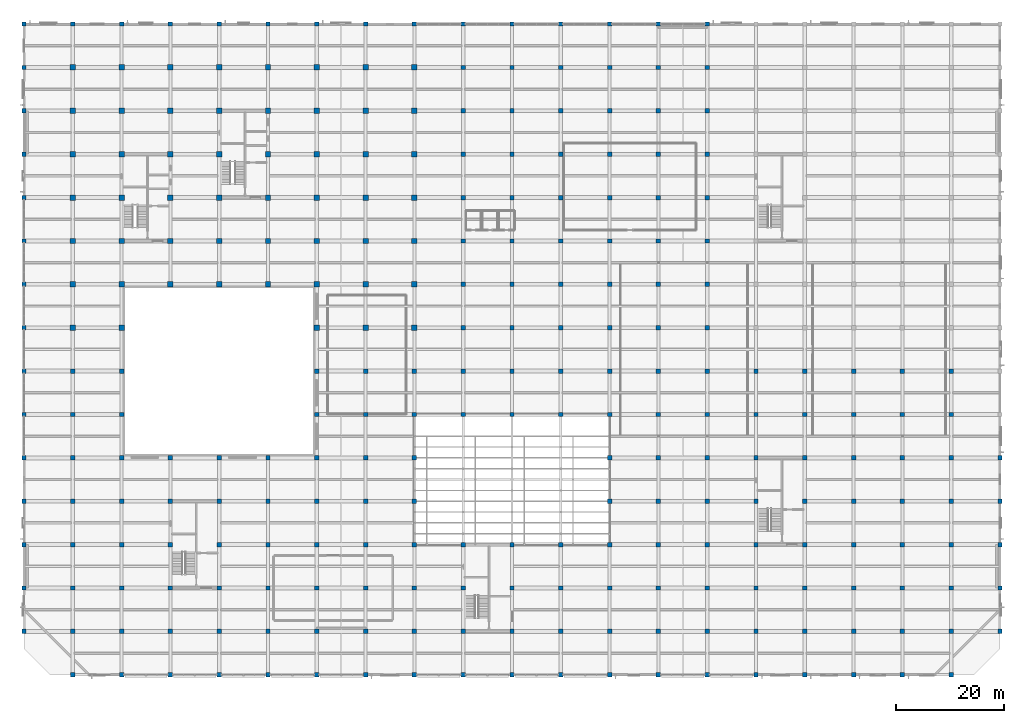
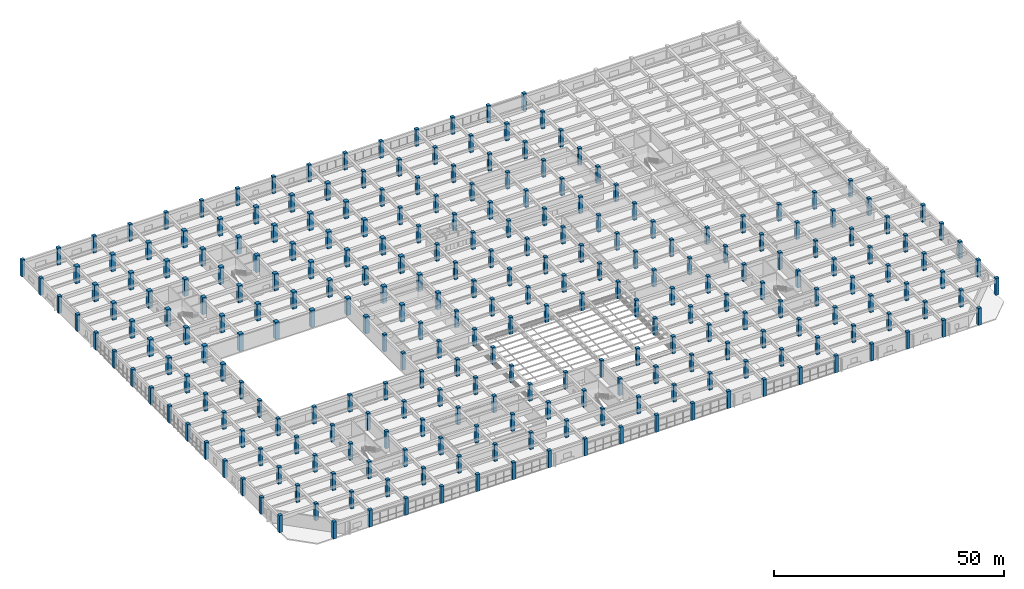
# One storey, part 1 of 50: 269 columns.
"""IFC4 building model written with IfcOpenShell, lengths in metres."""

from ifc_helpers import new_model, si_unit, direction, frame, origin, origin_2d, place, context, subcontext, project, spatial, rectangle, extrude, material, material_profile, profile_set, type_object, element, save


model = new_model("IFC4")

# Units and contexts
model_context = context("Model", 3, precision=1e-05, world=origin(), true_north=direction((0.0, 1.0)))
body_context = subcontext(model_context, "Body", "Model", "MODEL_VIEW")
ifc_project = project(units=[si_unit("LENGTHUNIT", "METRE"), si_unit("AREAUNIT", "SQUARE_METRE"), si_unit("VOLUMEUNIT", "CUBIC_METRE"), si_unit("PLANEANGLEUNIT", "RADIAN"), si_unit("MASSUNIT", "GRAM", prefix="KILO")], contexts=[model_context])

# Site, building, storey
site_placement = place(None, origin())
site = spatial("IfcSite", under=ifc_project, at=site_placement, CompositionType="ELEMENT")
building_placement = place(site_placement, origin())
building = spatial("IfcBuilding", under=site, at=building_placement, Name="Zaverband Oceanarium and Marine Research Institute", CompositionType="ELEMENT")
storey_placement = place(building_placement, frame((0.0, 0.0, 9.0)))
storey = spatial("IfcBuildingStorey", under=building, at=storey_placement, Name="L02", CompositionType="ELEMENT", Elevation=9.0)

# Columns
ifc_material = material(Name="Concrete C50/60", Category="concrete")
ifc_material_profile_1 = material_profile(ifc_material, rectangle(XDim=1.0, YDim=1.0, at=origin_2d()), Name="RC1000x1000")
ifc_profile_set_1 = profile_set([ifc_material_profile_1], Name="Concrete C50/60")
column_type_1 = type_object("IfcColumnType", Name="COL-C1000", PredefinedType="COLUMN", material=ifc_profile_set_1)
for number, where, z_axis, x_axis, name in (
    (1, (9.0, 64.0, 0.0), (0.0, 0.0, 1.0), (1.0, 0.0, 0.0), "Reinforced concrete column RC1000x1000 COL-C1000"),
    (2, (9.0, 72.0, 0.0), (0.0, 0.0, 1.0), (1.0, 0.0, 0.0), "Reinforced concrete column RC1000x1000 COL-C1000"),
    (3, (9.0, 80.0, 0.0), (0.0, 0.0, 1.0), (1.0, 0.0, 0.0), "Reinforced concrete column RC1000x1000 COL-C1000"),
    (4, (9.0, 88.0, 0.0), (0.0, 0.0, 1.0), (1.0, 0.0, 0.0), "Reinforced concrete column RC1000x1000 COL-C1000"),
    (5, (9.0, 96.0, 0.0), (0.0, 0.0, 1.0), (1.0, 0.0, 0.0), "Reinforced concrete column RC1000x1000 COL-C1000"),
    (6, (9.0, 104.0, 0.0), (0.0, 0.0, 1.0), (1.0, 0.0, 0.0), "Reinforced concrete column RC1000x1000 COL-C1000"),
    (7, (9.0, 112.0, 0.0), (0.0, 0.0, 1.0), (1.0, 0.0, 0.0), "Reinforced concrete column RC1000x1000 COL-C1000"),
    (8, (18.0, 64.0, 0.0), (0.0, 0.0, 1.0), (1.0, 0.0, 0.0), "Reinforced concrete column RC1000x1000 COL-C1000"),
    (9, (18.0, 72.0, 0.0), (0.0, 0.0, 1.0), (1.0, 0.0, 0.0), "Reinforced concrete column RC1000x1000 COL-C1000"),
    (10, (18.0, 80.0, 0.0), (0.0, 0.0, 1.0), (1.0, 0.0, 0.0), "Reinforced concrete column RC1000x1000 COL-C1000"),
    (11, (18.0, 88.0, 0.0), (0.0, 0.0, 1.0), (1.0, 0.0, 0.0), "Reinforced concrete column RC1000x1000 COL-C1000"),
    (12, (18.0, 96.0, 0.0), (0.0, 0.0, 1.0), (1.0, 0.0, 0.0), "Reinforced concrete column RC1000x1000 COL-C1000"),
    (13, (18.0, 104.0, 0.0), (0.0, 0.0, 1.0), (1.0, 0.0, 0.0), "Reinforced concrete column RC1000x1000 COL-C1000"),
    (14, (18.0, 112.0, 0.0), (0.0, 0.0, 1.0), (1.0, 0.0, 0.0), "Reinforced concrete column RC1000x1000 COL-C1000"),
    (15, (27.0, 72.0, 0.0), (0.0, 0.0, 1.0), (1.0, 0.0, 0.0), "Reinforced concrete column RC1000x1000 COL-C1000"),
    (16, (27.0, 80.0, 0.0), (0.0, 0.0, 1.0), (1.0, 0.0, 0.0), "Reinforced concrete column RC1000x1000 COL-C1000"),
    (17, (27.0, 88.0, 0.0), (0.0, 0.0, 1.0), (1.0, 0.0, 0.0), "Reinforced concrete column RC1000x1000 COL-C1000"),
    (18, (27.0, 96.0, 0.0), (0.0, 0.0, 1.0), (1.0, 0.0, 0.0), "Reinforced concrete column RC1000x1000 COL-C1000"),
    (19, (27.0, 104.0, 0.0), (0.0, 0.0, 1.0), (1.0, 0.0, 0.0), "Reinforced concrete column RC1000x1000 COL-C1000"),
    (20, (27.0, 112.0, 0.0), (0.0, 0.0, 1.0), (1.0, 0.0, 0.0), "Reinforced concrete column RC1000x1000 COL-C1000"),
    (21, (36.0, 72.0, 0.0), (0.0, 0.0, 1.0), (1.0, 0.0, 0.0), "Reinforced concrete column RC1000x1000 COL-C1000"),
    (22, (36.0, 80.0, 0.0), (0.0, 0.0, 1.0), (1.0, 0.0, 0.0), "Reinforced concrete column RC1000x1000 COL-C1000"),
    (23, (36.0, 88.0, 0.0), (0.0, 0.0, 1.0), (1.0, 0.0, 0.0), "Reinforced concrete column RC1000x1000 COL-C1000"),
    (24, (36.0, 96.0, 0.0), (0.0, 0.0, 1.0), (1.0, 0.0, 0.0), "Reinforced concrete column RC1000x1000 COL-C1000"),
    (25, (36.0, 104.0, 0.0), (0.0, 0.0, 1.0), (1.0, 0.0, 0.0), "Reinforced concrete column RC1000x1000 COL-C1000"),
    (26, (36.0, 112.0, 0.0), (0.0, 0.0, 1.0), (1.0, 0.0, 0.0), "Reinforced concrete column RC1000x1000 COL-C1000"),
    (27, (45.0, 72.0, 0.0), (0.0, 0.0, 1.0), (1.0, 0.0, 0.0), "Reinforced concrete column RC1000x1000 COL-C1000"),
    (28, (45.0, 80.0, 0.0), (0.0, 0.0, 1.0), (1.0, 0.0, 0.0), "Reinforced concrete column RC1000x1000 COL-C1000"),
    (29, (45.0, 88.0, 0.0), (0.0, 0.0, 1.0), (1.0, 0.0, 0.0), "Reinforced concrete column RC1000x1000 COL-C1000"),
    (30, (45.0, 96.0, 0.0), (0.0, 0.0, 1.0), (1.0, 0.0, 0.0), "Reinforced concrete column RC1000x1000 COL-C1000"),
    (31, (45.0, 104.0, 0.0), (0.0, 0.0, 1.0), (1.0, 0.0, 0.0), "Reinforced concrete column RC1000x1000 COL-C1000"),
    (32, (45.0, 112.0, 0.0), (0.0, 0.0, 1.0), (1.0, 0.0, 0.0), "Reinforced concrete column RC1000x1000 COL-C1000"),
    (33, (54.0, 64.0, 0.0), (0.0, 0.0, 1.0), (1.0, 0.0, 0.0), "Reinforced concrete column RC1000x1000 COL-C1000"),
    (34, (54.0, 72.0, 0.0), (0.0, 0.0, 1.0), (1.0, 0.0, 0.0), "Reinforced concrete column RC1000x1000 COL-C1000"),
    (35, (54.0, 80.0, 0.0), (0.0, 0.0, 1.0), (1.0, 0.0, 0.0), "Reinforced concrete column RC1000x1000 COL-C1000"),
    (36, (54.0, 88.0, 0.0), (0.0, 0.0, 1.0), (1.0, 0.0, 0.0), "Reinforced concrete column RC1000x1000 COL-C1000"),
    (37, (54.0, 96.0, 0.0), (0.0, 0.0, 1.0), (1.0, 0.0, 0.0), "Reinforced concrete column RC1000x1000 COL-C1000"),
    (38, (54.0, 104.0, 0.0), (0.0, 0.0, 1.0), (1.0, 0.0, 0.0), "Reinforced concrete column RC1000x1000 COL-C1000"),
    (39, (54.0, 112.0, 0.0), (0.0, 0.0, 1.0), (1.0, 0.0, 0.0), "Reinforced concrete column RC1000x1000 COL-C1000"),
    (40, (63.0, 64.0, 0.0), (0.0, 0.0, 1.0), (1.0, 0.0, 0.0), "Reinforced concrete column RC1000x1000 COL-C1000"),
    (41, (63.0, 72.0, 0.0), (0.0, 0.0, 1.0), (1.0, 0.0, 0.0), "Reinforced concrete column RC1000x1000 COL-C1000"),
    (42, (63.0, 80.0, 0.0), (0.0, 0.0, 1.0), (1.0, 0.0, 0.0), "Reinforced concrete column RC1000x1000 COL-C1000"),
    (43, (63.0, 88.0, 0.0), (0.0, 0.0, 1.0), (1.0, 0.0, 0.0), "Reinforced concrete column RC1000x1000 COL-C1000"),
    (44, (63.0, 96.0, 0.0), (0.0, 0.0, 1.0), (1.0, 0.0, 0.0), "Reinforced concrete column RC1000x1000 COL-C1000"),
    (45, (63.0, 104.0, 0.0), (0.0, 0.0, 1.0), (1.0, 0.0, 0.0), "Reinforced concrete column RC1000x1000 COL-C1000"),
    (46, (63.0, 112.0, 0.0), (0.0, 0.0, 1.0), (1.0, 0.0, 0.0), "Reinforced concrete column RC1000x1000 COL-C1000"),
    (47, (72.0, 64.0, 0.0), (0.0, 0.0, 1.0), (1.0, 0.0, 0.0), "Reinforced concrete column RC1000x1000 COL-C1000"),
    (48, (72.0, 72.0, 0.0), (0.0, 0.0, 1.0), (1.0, 0.0, 0.0), "Reinforced concrete column RC1000x1000 COL-C1000"),
    (49, (72.0, 80.0, 0.0), (0.0, 0.0, 1.0), (1.0, 0.0, 0.0), "Reinforced concrete column RC1000x1000 COL-C1000"),
    (50, (72.0, 88.0, 0.0), (0.0, 0.0, 1.0), (1.0, 0.0, 0.0), "Reinforced concrete column RC1000x1000 COL-C1000"),
    (51, (72.0, 96.0, 0.0), (0.0, 0.0, 1.0), (1.0, 0.0, 0.0), "Reinforced concrete column RC1000x1000 COL-C1000"),
    (52, (72.0, 104.0, 0.0), (0.0, 0.0, 1.0), (1.0, 0.0, 0.0), "Reinforced concrete column RC1000x1000 COL-C1000"),
    (53, (72.0, 112.0, 0.0), (0.0, 0.0, 1.0), (1.0, 0.0, 0.0), "Reinforced concrete column RC1000x1000 COL-C1000"),
):
    element("IfcColumn", number, at=place(storey_placement, frame(where, z_axis=z_axis, x_axis=x_axis)), inside=storey, type_object=column_type_1, Name=name, PredefinedType="COLUMN", context=body_context, shape_type="SweptSolid", body=[
        extrude(rectangle(XDim=1.0, YDim=1.0, at=origin_2d()), origin(), (0.0, 0.0, 1.0), 4.5),
    ])
ifc_material_profile_2 = material_profile(ifc_material, rectangle(XDim=0.800048828125, YDim=0.800048828125, at=origin_2d()), Name="RC800x800")
ifc_profile_set_2 = profile_set([ifc_material_profile_2], Name="Concrete C50/60")
column_type_2 = type_object("IfcColumnType", Name="COL-C800", PredefinedType="COLUMN", material=ifc_profile_set_2)
for number, where, z_axis, x_axis, name in (
    (54, (0.0, 8.0, 0.0), (0.0, 0.0, 1.0), (1.0, 0.0, 0.0), "Reinforced concrete column RC800x800 COL-C800"),
    (55, (0.0, 16.0, 0.0), (0.0, 0.0, 1.0), (1.0, 0.0, 0.0), "Reinforced concrete column RC800x800 COL-C800"),
    (56, (0.0, 24.0, 0.0), (0.0, 0.0, 1.0), (1.0, 0.0, 0.0), "Reinforced concrete column RC800x800 COL-C800"),
    (57, (0.0, 32.0, 0.0), (0.0, 0.0, 1.0), (1.0, 0.0, 0.0), "Reinforced concrete column RC800x800 COL-C800"),
    (58, (0.0, 40.0, 0.0), (0.0, 0.0, 1.0), (1.0, 0.0, 0.0), "Reinforced concrete column RC800x800 COL-C800"),
    (59, (0.0, 48.0, 0.0), (0.0, 0.0, 1.0), (1.0, 0.0, 0.0), "Reinforced concrete column RC800x800 COL-C800"),
    (60, (0.0, 56.0, 0.0), (0.0, 0.0, 1.0), (1.0, 0.0, 0.0), "Reinforced concrete column RC800x800 COL-C800"),
    (61, (0.0, 64.0, 0.0), (0.0, 0.0, 1.0), (1.0, 0.0, 0.0), "Reinforced concrete column RC800x800 COL-C800"),
    (62, (0.0, 72.0, 0.0), (0.0, 0.0, 1.0), (1.0, 0.0, 0.0), "Reinforced concrete column RC800x800 COL-C800"),
    (63, (0.0, 80.0, 0.0), (0.0, 0.0, 1.0), (1.0, 0.0, 0.0), "Reinforced concrete column RC800x800 COL-C800"),
    (64, (0.0, 88.0, 0.0), (0.0, 0.0, 1.0), (1.0, 0.0, 0.0), "Reinforced concrete column RC800x800 COL-C800"),
    (65, (0.0, 96.0, 0.0), (0.0, 0.0, 1.0), (1.0, 0.0, 0.0), "Reinforced concrete column RC800x800 COL-C800"),
    (66, (0.0, 104.0, 0.0), (0.0, 0.0, 1.0), (1.0, 0.0, 0.0), "Reinforced concrete column RC800x800 COL-C800"),
    (67, (0.0, 112.0, 0.0), (0.0, 0.0, 1.0), (1.0, 0.0, 0.0), "Reinforced concrete column RC800x800 COL-C800"),
    (68, (0.0, 120.0, 0.0), (0.0, 0.0, 1.0), (1.0, 0.0, 0.0), "Reinforced concrete column RC800x800 COL-C800"),
    (69, (9.0, 0.0, 0.0), (0.0, 0.0, 1.0), (1.0, 0.0, 0.0), "Reinforced concrete column RC800x800 COL-C800"),
    (70, (9.0, 8.0, 0.0), (0.0, 0.0, 1.0), (1.0, 0.0, 0.0), "Reinforced concrete column RC800x800 COL-C800"),
    (71, (9.0, 16.0, 0.0), (0.0, 0.0, 1.0), (1.0, 0.0, 0.0), "Reinforced concrete column RC800x800 COL-C800"),
    (72, (9.0, 24.0, 0.0), (0.0, 0.0, 1.0), (1.0, 0.0, 0.0), "Reinforced concrete column RC800x800 COL-C800"),
    (73, (9.0, 32.0, 0.0), (0.0, 0.0, 1.0), (1.0, 0.0, 0.0), "Reinforced concrete column RC800x800 COL-C800"),
    (74, (9.0, 40.0, 0.0), (0.0, 0.0, 1.0), (1.0, 0.0, 0.0), "Reinforced concrete column RC800x800 COL-C800"),
    (75, (9.0, 48.0, 0.0), (0.0, 0.0, 1.0), (1.0, 0.0, 0.0), "Reinforced concrete column RC800x800 COL-C800"),
    (76, (9.0, 56.0, 0.0), (0.0, 0.0, 1.0), (1.0, 0.0, 0.0), "Reinforced concrete column RC800x800 COL-C800"),
    (77, (9.0, 120.0, 0.0), (0.0, 0.0, 1.0), (1.0, 0.0, 0.0), "Reinforced concrete column RC800x800 COL-C800"),
    (78, (18.0, 0.0, 0.0), (0.0, 0.0, 1.0), (1.0, 0.0, 0.0), "Reinforced concrete column RC800x800 COL-C800"),
    (79, (18.0, 8.0, 0.0), (0.0, 0.0, 1.0), (1.0, 0.0, 0.0), "Reinforced concrete column RC800x800 COL-C800"),
    (80, (18.0, 16.0, 0.0), (0.0, 0.0, 1.0), (1.0, 0.0, 0.0), "Reinforced concrete column RC800x800 COL-C800"),
    (81, (18.0, 24.0, 0.0), (0.0, 0.0, 1.0), (1.0, 0.0, 0.0), "Reinforced concrete column RC800x800 COL-C800"),
    (82, (18.0, 32.0, 0.0), (0.0, 0.0, 1.0), (1.0, 0.0, 0.0), "Reinforced concrete column RC800x800 COL-C800"),
    (83, (18.0, 40.0, 0.0), (0.0, 0.0, 1.0), (1.0, 0.0, 0.0), "Reinforced concrete column RC800x800 COL-C800"),
    (84, (18.0, 48.0, 0.0), (0.0, 0.0, 1.0), (1.0, 0.0, 0.0), "Reinforced concrete column RC800x800 COL-C800"),
    (85, (18.0, 56.0, 0.0), (0.0, 0.0, 1.0), (1.0, 0.0, 0.0), "Reinforced concrete column RC800x800 COL-C800"),
    (86, (18.0, 120.0, 0.0), (0.0, 0.0, 1.0), (1.0, 0.0, 0.0), "Reinforced concrete column RC800x800 COL-C800"),
    (87, (27.0, 0.0, 0.0), (0.0, 0.0, 1.0), (1.0, 0.0, 0.0), "Reinforced concrete column RC800x800 COL-C800"),
    (88, (27.0, 8.0, 0.0), (0.0, 0.0, 1.0), (1.0, 0.0, 0.0), "Reinforced concrete column RC800x800 COL-C800"),
    (89, (27.0, 16.0, 0.0), (0.0, 0.0, 1.0), (1.0, 0.0, 0.0), "Reinforced concrete column RC800x800 COL-C800"),
    (90, (27.0, 24.0, 0.0), (0.0, 0.0, 1.0), (1.0, 0.0, 0.0), "Reinforced concrete column RC800x800 COL-C800"),
    (91, (27.0, 32.0, 0.0), (0.0, 0.0, 1.0), (1.0, 0.0, 0.0), "Reinforced concrete column RC800x800 COL-C800"),
    (92, (27.0, 40.0, 0.0), (0.0, 0.0, 1.0), (1.0, 0.0, 0.0), "Reinforced concrete column RC800x800 COL-C800"),
    (93, (27.0, 120.0, 0.0), (0.0, 0.0, 1.0), (1.0, 0.0, 0.0), "Reinforced concrete column RC800x800 COL-C800"),
    (94, (36.0, 0.0, 0.0), (0.0, 0.0, 1.0), (1.0, 0.0, 0.0), "Reinforced concrete column RC800x800 COL-C800"),
    (95, (36.0, 8.0, 0.0), (0.0, 0.0, 1.0), (1.0, 0.0, 0.0), "Reinforced concrete column RC800x800 COL-C800"),
    (96, (36.0, 16.0, 0.0), (0.0, 0.0, 1.0), (1.0, 0.0, 0.0), "Reinforced concrete column RC800x800 COL-C800"),
    (97, (36.0, 24.0, 0.0), (0.0, 0.0, 1.0), (1.0, 0.0, 0.0), "Reinforced concrete column RC800x800 COL-C800"),
    (98, (36.0, 32.0, 0.0), (0.0, 0.0, 1.0), (1.0, 0.0, 0.0), "Reinforced concrete column RC800x800 COL-C800"),
    (99, (36.0, 40.0, 0.0), (0.0, 0.0, 1.0), (1.0, 0.0, 0.0), "Reinforced concrete column RC800x800 COL-C800"),
    (100, (36.0, 120.0, 0.0), (0.0, 0.0, 1.0), (1.0, 0.0, 0.0), "Reinforced concrete column RC800x800 COL-C800"),
    (101, (45.0, 0.0, 0.0), (0.0, 0.0, 1.0), (1.0, 0.0, 0.0), "Reinforced concrete column RC800x800 COL-C800"),
    (102, (45.0, 8.0, 0.0), (0.0, 0.0, 1.0), (1.0, 0.0, 0.0), "Reinforced concrete column RC800x800 COL-C800"),
    (103, (45.0, 16.0, 0.0), (0.0, 0.0, 1.0), (1.0, 0.0, 0.0), "Reinforced concrete column RC800x800 COL-C800"),
    (104, (45.0, 24.0, 0.0), (0.0, 0.0, 1.0), (1.0, 0.0, 0.0), "Reinforced concrete column RC800x800 COL-C800"),
    (105, (45.0, 32.0, 0.0), (0.0, 0.0, 1.0), (1.0, 0.0, 0.0), "Reinforced concrete column RC800x800 COL-C800"),
    (106, (45.0, 40.0, 0.0), (0.0, 0.0, 1.0), (1.0, 0.0, 0.0), "Reinforced concrete column RC800x800 COL-C800"),
    (107, (45.0, 120.0, 0.0), (0.0, 0.0, 1.0), (1.0, 0.0, 0.0), "Reinforced concrete column RC800x800 COL-C800"),
    (108, (54.0, 0.0, 0.0), (0.0, 0.0, 1.0), (1.0, 0.0, 0.0), "Reinforced concrete column RC800x800 COL-C800"),
    (109, (54.0, 8.0, 0.0), (0.0, 0.0, 1.0), (1.0, 0.0, 0.0), "Reinforced concrete column RC800x800 COL-C800"),
    (110, (54.0, 16.0, 0.0), (0.0, 0.0, 1.0), (1.0, 0.0, 0.0), "Reinforced concrete column RC800x800 COL-C800"),
    (111, (54.0, 24.0, 0.0), (0.0, 0.0, 1.0), (1.0, 0.0, 0.0), "Reinforced concrete column RC800x800 COL-C800"),
    (112, (54.0, 32.0, 0.0), (0.0, 0.0, 1.0), (1.0, 0.0, 0.0), "Reinforced concrete column RC800x800 COL-C800"),
    (113, (54.0, 40.0, 0.0), (0.0, 0.0, 1.0), (1.0, 0.0, 0.0), "Reinforced concrete column RC800x800 COL-C800"),
    (114, (54.0, 48.0, 0.0), (0.0, 0.0, 1.0), (1.0, 0.0, 0.0), "Reinforced concrete column RC800x800 COL-C800"),
    (115, (54.0, 56.0, 0.0), (0.0, 0.0, 1.0), (1.0, 0.0, 0.0), "Reinforced concrete column RC800x800 COL-C800"),
    (116, (54.0, 120.0, 0.0), (0.0, 0.0, 1.0), (1.0, 0.0, 0.0), "Reinforced concrete column RC800x800 COL-C800"),
    (117, (63.0, 0.0, 0.0), (0.0, 0.0, 1.0), (1.0, 0.0, 0.0), "Reinforced concrete column RC800x800 COL-C800"),
    (118, (63.0, 8.0, 0.0), (0.0, 0.0, 1.0), (1.0, 0.0, 0.0), "Reinforced concrete column RC800x800 COL-C800"),
    (119, (63.0, 16.0, 0.0), (0.0, 0.0, 1.0), (1.0, 0.0, 0.0), "Reinforced concrete column RC800x800 COL-C800"),
    (120, (63.0, 24.0, 0.0), (0.0, 0.0, 1.0), (1.0, 0.0, 0.0), "Reinforced concrete column RC800x800 COL-C800"),
    (121, (63.0, 32.0, 0.0), (0.0, 0.0, 1.0), (1.0, 0.0, 0.0), "Reinforced concrete column RC800x800 COL-C800"),
    (122, (63.0, 40.0, 0.0), (0.0, 0.0, 1.0), (1.0, 0.0, 0.0), "Reinforced concrete column RC800x800 COL-C800"),
    (123, (63.0, 48.0, 0.0), (0.0, 0.0, 1.0), (1.0, 0.0, 0.0), "Reinforced concrete column RC800x800 COL-C800"),
    (124, (63.0, 56.0, 0.0), (0.0, 0.0, 1.0), (1.0, 0.0, 0.0), "Reinforced concrete column RC800x800 COL-C800"),
    (125, (63.0, 120.0, 0.0), (0.0, 0.0, 1.0), (1.0, 0.0, 0.0), "Reinforced concrete column RC800x800 COL-C800"),
    (126, (72.0, 0.0, 0.0), (0.0, 0.0, 1.0), (1.0, 0.0, 0.0), "Reinforced concrete column RC800x800 COL-C800"),
    (127, (72.0, 8.0, 0.0), (0.0, 0.0, 1.0), (1.0, 0.0, 0.0), "Reinforced concrete column RC800x800 COL-C800"),
    (128, (72.0, 16.0, 0.0), (0.0, 0.0, 1.0), (1.0, 0.0, 0.0), "Reinforced concrete column RC800x800 COL-C800"),
    (129, (72.0, 24.0, 0.0), (0.0, 0.0, 1.0), (1.0, 0.0, 0.0), "Reinforced concrete column RC800x800 COL-C800"),
    (130, (72.0, 32.0, 0.0), (0.0, 0.0, 1.0), (1.0, 0.0, 0.0), "Reinforced concrete column RC800x800 COL-C800"),
    (131, (72.0, 40.0, 0.0), (0.0, 0.0, 1.0), (1.0, 0.0, 0.0), "Reinforced concrete column RC800x800 COL-C800"),
    (132, (72.0, 48.0, 0.0), (0.0, 0.0, 1.0), (1.0, 0.0, 0.0), "Reinforced concrete column RC800x800 COL-C800"),
    (133, (72.0, 56.0, 0.0), (0.0, 0.0, 1.0), (1.0, 0.0, 0.0), "Reinforced concrete column RC800x800 COL-C800"),
    (134, (72.0, 120.0, 0.0), (0.0, 0.0, 1.0), (1.0, 0.0, 0.0), "Reinforced concrete column RC800x800 COL-C800"),
    (135, (81.0, 0.0, 0.0), (0.0, 0.0, 1.0), (1.0, 0.0, 0.0), "Reinforced concrete column RC800x800 COL-C800"),
    (136, (81.0, 8.0, 0.0), (0.0, 0.0, 1.0), (1.0, 0.0, 0.0), "Reinforced concrete column RC800x800 COL-C800"),
    (137, (81.0, 16.0, 0.0), (0.0, 0.0, 1.0), (1.0, 0.0, 0.0), "Reinforced concrete column RC800x800 COL-C800"),
    (138, (81.0, 24.0, 0.0), (0.0, 0.0, 1.0), (1.0, 0.0, 0.0), "Reinforced concrete column RC800x800 COL-C800"),
    (139, (81.0, 48.0, 0.0), (0.0, 0.0, 1.0), (1.0, 0.0, 0.0), "Reinforced concrete column RC800x800 COL-C800"),
    (140, (81.0, 56.0, 0.0), (0.0, 0.0, 1.0), (1.0, 0.0, 0.0), "Reinforced concrete column RC800x800 COL-C800"),
    (141, (81.0, 64.0, 0.0), (0.0, 0.0, 1.0), (1.0, 0.0, 0.0), "Reinforced concrete column RC800x800 COL-C800"),
    (142, (81.0, 72.0, 0.0), (0.0, 0.0, 1.0), (1.0, 0.0, 0.0), "Reinforced concrete column RC800x800 COL-C800"),
    (143, (81.0, 80.0, 0.0), (0.0, 0.0, 1.0), (1.0, 0.0, 0.0), "Reinforced concrete column RC800x800 COL-C800"),
    (144, (81.0, 88.0, 0.0), (0.0, 0.0, 1.0), (1.0, 0.0, 0.0), "Reinforced concrete column RC800x800 COL-C800"),
    (145, (81.0, 96.0, 0.0), (0.0, 0.0, 1.0), (1.0, 0.0, 0.0), "Reinforced concrete column RC800x800 COL-C800"),
    (146, (81.0, 104.0, 0.0), (0.0, 0.0, 1.0), (1.0, 0.0, 0.0), "Reinforced concrete column RC800x800 COL-C800"),
    (147, (81.0, 112.0, 0.0), (0.0, 0.0, 1.0), (1.0, 0.0, 0.0), "Reinforced concrete column RC800x800 COL-C800"),
    (148, (81.0, 120.0, 0.0), (0.0, 0.0, 1.0), (1.0, 0.0, 0.0), "Reinforced concrete column RC800x800 COL-C800"),
    (149, (90.0, 0.0, 0.0), (0.0, 0.0, 1.0), (1.0, 0.0, 0.0), "Reinforced concrete column RC800x800 COL-C800"),
    (150, (90.0, 8.0, 0.0), (0.0, 0.0, 1.0), (1.0, 0.0, 0.0), "Reinforced concrete column RC800x800 COL-C800"),
    (151, (90.0, 16.0, 0.0), (0.0, 0.0, 1.0), (1.0, 0.0, 0.0), "Reinforced concrete column RC800x800 COL-C800"),
    (152, (90.0, 24.0, 0.0), (0.0, 0.0, 1.0), (1.0, 0.0, 0.0), "Reinforced concrete column RC800x800 COL-C800"),
    (153, (90.0, 48.0, 0.0), (0.0, 0.0, 1.0), (1.0, 0.0, 0.0), "Reinforced concrete column RC800x800 COL-C800"),
    (154, (90.0, 56.0, 0.0), (0.0, 0.0, 1.0), (1.0, 0.0, 0.0), "Reinforced concrete column RC800x800 COL-C800"),
    (155, (90.0, 64.0, 0.0), (0.0, 0.0, 1.0), (1.0, 0.0, 0.0), "Reinforced concrete column RC800x800 COL-C800"),
    (156, (90.0, 72.0, 0.0), (0.0, 0.0, 1.0), (1.0, 0.0, 0.0), "Reinforced concrete column RC800x800 COL-C800"),
    (157, (90.0, 80.0, 0.0), (0.0, 0.0, 1.0), (1.0, 0.0, 0.0), "Reinforced concrete column RC800x800 COL-C800"),
    (158, (90.0, 88.0, 0.0), (0.0, 0.0, 1.0), (1.0, 0.0, 0.0), "Reinforced concrete column RC800x800 COL-C800"),
    (159, (90.0, 96.0, 0.0), (0.0, 0.0, 1.0), (1.0, 0.0, 0.0), "Reinforced concrete column RC800x800 COL-C800"),
    (160, (90.0, 104.0, 0.0), (0.0, 0.0, 1.0), (1.0, 0.0, 0.0), "Reinforced concrete column RC800x800 COL-C800"),
    (161, (90.0, 112.0, 0.0), (0.0, 0.0, 1.0), (1.0, 0.0, 0.0), "Reinforced concrete column RC800x800 COL-C800"),
    (162, (90.0, 120.0, 0.0), (0.0, 0.0, 1.0), (1.0, 0.0, 0.0), "Reinforced concrete column RC800x800 COL-C800"),
    (163, (99.0, 0.0, 0.0), (0.0, 0.0, 1.0), (1.0, 0.0, 0.0), "Reinforced concrete column RC800x800 COL-C800"),
    (164, (99.0, 8.0, 0.0), (0.0, 0.0, 1.0), (1.0, 0.0, 0.0), "Reinforced concrete column RC800x800 COL-C800"),
    (165, (99.0, 16.0, 0.0), (0.0, 0.0, 1.0), (1.0, 0.0, 0.0), "Reinforced concrete column RC800x800 COL-C800"),
    (166, (99.0, 24.0, 0.0), (0.0, 0.0, 1.0), (1.0, 0.0, 0.0), "Reinforced concrete column RC800x800 COL-C800"),
    (167, (99.0, 48.0, 0.0), (0.0, 0.0, 1.0), (1.0, 0.0, 0.0), "Reinforced concrete column RC800x800 COL-C800"),
    (168, (99.0, 56.0, 0.0), (0.0, 0.0, 1.0), (1.0, 0.0, 0.0), "Reinforced concrete column RC800x800 COL-C800"),
    (169, (99.0, 64.0, 0.0), (0.0, 0.0, 1.0), (1.0, 0.0, 0.0), "Reinforced concrete column RC800x800 COL-C800"),
    (170, (99.0, 72.0, 0.0), (0.0, 0.0, 1.0), (1.0, 0.0, 0.0), "Reinforced concrete column RC800x800 COL-C800"),
    (171, (99.0, 80.0, 0.0), (0.0, 0.0, 1.0), (1.0, 0.0, 0.0), "Reinforced concrete column RC800x800 COL-C800"),
    (172, (99.0, 88.0, 0.0), (0.0, 0.0, 1.0), (1.0, 0.0, 0.0), "Reinforced concrete column RC800x800 COL-C800"),
    (173, (99.0, 96.0, 0.0), (0.0, 0.0, 1.0), (1.0, 0.0, 0.0), "Reinforced concrete column RC800x800 COL-C800"),
    (174, (99.0, 104.0, 0.0), (0.0, 0.0, 1.0), (1.0, 0.0, 0.0), "Reinforced concrete column RC800x800 COL-C800"),
    (175, (99.0, 112.0, 0.0), (0.0, 0.0, 1.0), (1.0, 0.0, 0.0), "Reinforced concrete column RC800x800 COL-C800"),
    (176, (99.0, 120.0, 0.0), (0.0, 0.0, 1.0), (1.0, 0.0, 0.0), "Reinforced concrete column RC800x800 COL-C800"),
    (177, (108.0, 0.0, 0.0), (0.0, 0.0, 1.0), (1.0, 0.0, 0.0), "Reinforced concrete column RC800x800 COL-C800"),
    (178, (108.0, 8.0, 0.0), (0.0, 0.0, 1.0), (1.0, 0.0, 0.0), "Reinforced concrete column RC800x800 COL-C800"),
    (179, (108.0, 16.0, 0.0), (0.0, 0.0, 1.0), (1.0, 0.0, 0.0), "Reinforced concrete column RC800x800 COL-C800"),
    (180, (108.0, 24.0, 0.0), (0.0, 0.0, 1.0), (1.0, 0.0, 0.0), "Reinforced concrete column RC800x800 COL-C800"),
    (181, (108.0, 32.0, 0.0), (0.0, 0.0, 1.0), (1.0, 0.0, 0.0), "Reinforced concrete column RC800x800 COL-C800"),
    (182, (108.0, 40.0, 0.0), (0.0, 0.0, 1.0), (1.0, 0.0, 0.0), "Reinforced concrete column RC800x800 COL-C800"),
    (183, (108.0, 48.0, 0.0), (0.0, 0.0, 1.0), (1.0, 0.0, 0.0), "Reinforced concrete column RC800x800 COL-C800"),
    (184, (108.0, 56.0, 0.0), (0.0, 0.0, 1.0), (1.0, 0.0, 0.0), "Reinforced concrete column RC800x800 COL-C800"),
    (185, (108.0, 64.0, 0.0), (0.0, 0.0, 1.0), (1.0, 0.0, 0.0), "Reinforced concrete column RC800x800 COL-C800"),
    (186, (108.0, 72.0, 0.0), (0.0, 0.0, 1.0), (1.0, 0.0, 0.0), "Reinforced concrete column RC800x800 COL-C800"),
    (187, (108.0, 80.0, 0.0), (0.0, 0.0, 1.0), (1.0, 0.0, 0.0), "Reinforced concrete column RC800x800 COL-C800"),
    (188, (108.0, 88.0, 0.0), (0.0, 0.0, 1.0), (1.0, 0.0, 0.0), "Reinforced concrete column RC800x800 COL-C800"),
    (189, (108.0, 96.0, 0.0), (0.0, 0.0, 1.0), (1.0, 0.0, 0.0), "Reinforced concrete column RC800x800 COL-C800"),
    (190, (108.0, 104.0, 0.0), (0.0, 0.0, 1.0), (1.0, 0.0, 0.0), "Reinforced concrete column RC800x800 COL-C800"),
    (191, (108.0, 112.0, 0.0), (0.0, 0.0, 1.0), (1.0, 0.0, 0.0), "Reinforced concrete column RC800x800 COL-C800"),
    (192, (108.0, 120.0, 0.0), (0.0, 0.0, 1.0), (1.0, 0.0, 0.0), "Reinforced concrete column RC800x800 COL-C800"),
    (193, (117.0, 0.0, 0.0), (0.0, 0.0, 1.0), (1.0, 0.0, 0.0), "Reinforced concrete column RC800x800 COL-C800"),
    (194, (117.0, 8.0, 0.0), (0.0, 0.0, 1.0), (1.0, 0.0, 0.0), "Reinforced concrete column RC800x800 COL-C800"),
    (195, (117.0, 16.0, 0.0), (0.0, 0.0, 1.0), (1.0, 0.0, 0.0), "Reinforced concrete column RC800x800 COL-C800"),
    (196, (117.0, 24.0, 0.0), (0.0, 0.0, 1.0), (1.0, 0.0, 0.0), "Reinforced concrete column RC800x800 COL-C800"),
    (197, (117.0, 32.0, 0.0), (0.0, 0.0, 1.0), (1.0, 0.0, 0.0), "Reinforced concrete column RC800x800 COL-C800"),
    (198, (117.0, 40.0, 0.0), (0.0, 0.0, 1.0), (1.0, 0.0, 0.0), "Reinforced concrete column RC800x800 COL-C800"),
    (199, (117.0, 48.0, 0.0), (0.0, 0.0, 1.0), (1.0, 0.0, 0.0), "Reinforced concrete column RC800x800 COL-C800"),
    (200, (117.0, 56.0, 0.0), (0.0, 0.0, 1.0), (1.0, 0.0, 0.0), "Reinforced concrete column RC800x800 COL-C800"),
    (201, (117.0, 64.0, 0.0), (0.0, 0.0, 1.0), (1.0, 0.0, 0.0), "Reinforced concrete column RC800x800 COL-C800"),
    (202, (117.0, 72.0, 0.0), (0.0, 0.0, 1.0), (1.0, 0.0, 0.0), "Reinforced concrete column RC800x800 COL-C800"),
    (203, (117.0, 80.0, 0.0), (0.0, 0.0, 1.0), (1.0, 0.0, 0.0), "Reinforced concrete column RC800x800 COL-C800"),
    (204, (117.0, 88.0, 0.0), (0.0, 0.0, 1.0), (1.0, 0.0, 0.0), "Reinforced concrete column RC800x800 COL-C800"),
    (205, (117.0, 96.0, 0.0), (0.0, 0.0, 1.0), (1.0, 0.0, 0.0), "Reinforced concrete column RC800x800 COL-C800"),
    (206, (117.0, 104.0, 0.0), (0.0, 0.0, 1.0), (1.0, 0.0, 0.0), "Reinforced concrete column RC800x800 COL-C800"),
    (207, (117.0, 112.0, 0.0), (0.0, 0.0, 1.0), (1.0, 0.0, 0.0), "Reinforced concrete column RC800x800 COL-C800"),
    (208, (117.0, 120.0, 0.0), (0.0, 0.0, 1.0), (1.0, 0.0, 0.0), "Reinforced concrete column RC800x800 COL-C800"),
    (209, (126.0, 0.0, 0.0), (0.0, 0.0, 1.0), (1.0, 0.0, 0.0), "Reinforced concrete column RC800x800 COL-C800"),
    (210, (126.0, 8.0, 0.0), (0.0, 0.0, 1.0), (1.0, 0.0, 0.0), "Reinforced concrete column RC800x800 COL-C800"),
    (211, (126.0, 16.0, 0.0), (0.0, 0.0, 1.0), (1.0, 0.0, 0.0), "Reinforced concrete column RC800x800 COL-C800"),
    (212, (126.0, 24.0, 0.0), (0.0, 0.0, 1.0), (1.0, 0.0, 0.0), "Reinforced concrete column RC800x800 COL-C800"),
    (213, (126.0, 32.0, 0.0), (0.0, 0.0, 1.0), (1.0, 0.0, 0.0), "Reinforced concrete column RC800x800 COL-C800"),
    (214, (126.0, 40.0, 0.0), (0.0, 0.0, 1.0), (1.0, 0.0, 0.0), "Reinforced concrete column RC800x800 COL-C800"),
    (215, (126.0, 48.0, 0.0), (0.0, 0.0, 1.0), (1.0, 0.0, 0.0), "Reinforced concrete column RC800x800 COL-C800"),
    (216, (126.0, 56.0, 0.0), (0.0, 0.0, 1.0), (1.0, 0.0, 0.0), "Reinforced concrete column RC800x800 COL-C800"),
    (217, (126.0, 64.0, 0.0), (0.0, 0.0, 1.0), (1.0, 0.0, 0.0), "Reinforced concrete column RC800x800 COL-C800"),
    (218, (126.0, 72.0, 0.0), (0.0, 0.0, 1.0), (1.0, 0.0, 0.0), "Reinforced concrete column RC800x800 COL-C800"),
    (219, (126.0, 80.0, 0.0), (0.0, 0.0, 1.0), (1.0, 0.0, 0.0), "Reinforced concrete column RC800x800 COL-C800"),
    (220, (126.0, 88.0, 0.0), (0.0, 0.0, 1.0), (1.0, 0.0, 0.0), "Reinforced concrete column RC800x800 COL-C800"),
    (221, (126.0, 96.0, 0.0), (0.0, 0.0, 1.0), (1.0, 0.0, 0.0), "Reinforced concrete column RC800x800 COL-C800"),
    (222, (126.0, 104.0, 0.0), (0.0, 0.0, 1.0), (1.0, 0.0, 0.0), "Reinforced concrete column RC800x800 COL-C800"),
    (223, (126.0, 112.0, 0.0), (0.0, 0.0, 1.0), (1.0, 0.0, 0.0), "Reinforced concrete column RC800x800 COL-C800"),
    (224, (126.0, 120.0, 0.0), (0.0, 0.0, 1.0), (1.0, 0.0, 0.0), "Reinforced concrete column RC800x800 COL-C800"),
    (225, (135.0, 0.0, 0.0), (0.0, 0.0, 1.0), (1.0, 0.0, 0.0), "Reinforced concrete column RC800x800 COL-C800"),
    (226, (135.0, 8.0, 0.0), (0.0, 0.0, 1.0), (1.0, 0.0, 0.0), "Reinforced concrete column RC800x800 COL-C800"),
    (227, (135.0, 16.0, 0.0), (0.0, 0.0, 1.0), (1.0, 0.0, 0.0), "Reinforced concrete column RC800x800 COL-C800"),
    (228, (135.0, 24.0, 0.0), (0.0, 0.0, 1.0), (1.0, 0.0, 0.0), "Reinforced concrete column RC800x800 COL-C800"),
    (229, (135.0, 32.0, 0.0), (0.0, 0.0, 1.0), (1.0, 0.0, 0.0), "Reinforced concrete column RC800x800 COL-C800"),
    (230, (135.0, 40.0, 0.0), (0.0, 0.0, 1.0), (1.0, 0.0, 0.0), "Reinforced concrete column RC800x800 COL-C800"),
    (231, (135.0, 48.0, 0.0), (0.0, 0.0, 1.0), (1.0, 0.0, 0.0), "Reinforced concrete column RC800x800 COL-C800"),
    (232, (135.0, 56.0, 0.0), (0.0, 0.0, 1.0), (1.0, 0.0, 0.0), "Reinforced concrete column RC800x800 COL-C800"),
    (233, (144.0, 0.0, 0.0), (0.0, 0.0, 1.0), (1.0, 0.0, 0.0), "Reinforced concrete column RC800x800 COL-C800"),
    (234, (144.0, 8.0, 0.0), (0.0, 0.0, 1.0), (1.0, 0.0, 0.0), "Reinforced concrete column RC800x800 COL-C800"),
    (235, (144.0, 16.0, 0.0), (0.0, 0.0, 1.0), (1.0, 0.0, 0.0), "Reinforced concrete column RC800x800 COL-C800"),
    (236, (144.0, 24.0, 0.0), (0.0, 0.0, 1.0), (1.0, 0.0, 0.0), "Reinforced concrete column RC800x800 COL-C800"),
    (237, (144.0, 32.0, 0.0), (0.0, 0.0, 1.0), (1.0, 0.0, 0.0), "Reinforced concrete column RC800x800 COL-C800"),
    (238, (144.0, 40.0, 0.0), (0.0, 0.0, 1.0), (1.0, 0.0, 0.0), "Reinforced concrete column RC800x800 COL-C800"),
    (239, (144.0, 48.0, 0.0), (0.0, 0.0, 1.0), (1.0, 0.0, 0.0), "Reinforced concrete column RC800x800 COL-C800"),
    (240, (144.0, 56.0, 0.0), (0.0, 0.0, 1.0), (1.0, 0.0, 0.0), "Reinforced concrete column RC800x800 COL-C800"),
    (241, (153.0, 0.0, 0.0), (0.0, 0.0, 1.0), (1.0, 0.0, 0.0), "Reinforced concrete column RC800x800 COL-C800"),
    (242, (153.0, 8.0, 0.0), (0.0, 0.0, 1.0), (1.0, 0.0, 0.0), "Reinforced concrete column RC800x800 COL-C800"),
    (243, (153.0, 16.0, 0.0), (0.0, 0.0, 1.0), (1.0, 0.0, 0.0), "Reinforced concrete column RC800x800 COL-C800"),
    (244, (153.0, 24.0, 0.0), (0.0, 0.0, 1.0), (1.0, 0.0, 0.0), "Reinforced concrete column RC800x800 COL-C800"),
    (245, (153.0, 32.0, 0.0), (0.0, 0.0, 1.0), (1.0, 0.0, 0.0), "Reinforced concrete column RC800x800 COL-C800"),
    (246, (153.0, 40.0, 0.0), (0.0, 0.0, 1.0), (1.0, 0.0, 0.0), "Reinforced concrete column RC800x800 COL-C800"),
    (247, (153.0, 48.0, 0.0), (0.0, 0.0, 1.0), (1.0, 0.0, 0.0), "Reinforced concrete column RC800x800 COL-C800"),
    (248, (153.0, 56.0, 0.0), (0.0, 0.0, 1.0), (1.0, 0.0, 0.0), "Reinforced concrete column RC800x800 COL-C800"),
    (249, (162.0, 0.0, 0.0), (0.0, 0.0, 1.0), (1.0, 0.0, 0.0), "Reinforced concrete column RC800x800 COL-C800"),
    (250, (162.0, 8.0, 0.0), (0.0, 0.0, 1.0), (1.0, 0.0, 0.0), "Reinforced concrete column RC800x800 COL-C800"),
    (251, (162.0, 16.0, 0.0), (0.0, 0.0, 1.0), (1.0, 0.0, 0.0), "Reinforced concrete column RC800x800 COL-C800"),
    (252, (162.0, 24.0, 0.0), (0.0, 0.0, 1.0), (1.0, 0.0, 0.0), "Reinforced concrete column RC800x800 COL-C800"),
    (253, (162.0, 32.0, 0.0), (0.0, 0.0, 1.0), (1.0, 0.0, 0.0), "Reinforced concrete column RC800x800 COL-C800"),
    (254, (162.0, 40.0, 0.0), (0.0, 0.0, 1.0), (1.0, 0.0, 0.0), "Reinforced concrete column RC800x800 COL-C800"),
    (255, (162.0, 48.0, 0.0), (0.0, 0.0, 1.0), (1.0, 0.0, 0.0), "Reinforced concrete column RC800x800 COL-C800"),
    (256, (162.0, 56.0, 0.0), (0.0, 0.0, 1.0), (1.0, 0.0, 0.0), "Reinforced concrete column RC800x800 COL-C800"),
    (257, (171.0, 0.0, 0.0), (0.0, 0.0, 1.0), (1.0, 0.0, 0.0), "Reinforced concrete column RC800x800 COL-C800"),
    (258, (171.0, 8.0, 0.0), (0.0, 0.0, 1.0), (1.0, 0.0, 0.0), "Reinforced concrete column RC800x800 COL-C800"),
    (259, (171.0, 16.0, 0.0), (0.0, 0.0, 1.0), (1.0, 0.0, 0.0), "Reinforced concrete column RC800x800 COL-C800"),
    (260, (171.0, 24.0, 0.0), (0.0, 0.0, 1.0), (1.0, 0.0, 0.0), "Reinforced concrete column RC800x800 COL-C800"),
    (261, (171.0, 32.0, 0.0), (0.0, 0.0, 1.0), (1.0, 0.0, 0.0), "Reinforced concrete column RC800x800 COL-C800"),
    (262, (171.0, 40.0, 0.0), (0.0, 0.0, 1.0), (1.0, 0.0, 0.0), "Reinforced concrete column RC800x800 COL-C800"),
    (263, (171.0, 48.0, 0.0), (0.0, 0.0, 1.0), (1.0, 0.0, 0.0), "Reinforced concrete column RC800x800 COL-C800"),
    (264, (171.0, 56.0, 0.0), (0.0, 0.0, 1.0), (1.0, 0.0, 0.0), "Reinforced concrete column RC800x800 COL-C800"),
    (265, (180.0, 8.0, 0.0), (0.0, 0.0, 1.0), (1.0, 0.0, 0.0), "Reinforced concrete column RC800x800 COL-C800"),
    (266, (180.0, 16.0, 0.0), (0.0, 0.0, 1.0), (1.0, 0.0, 0.0), "Reinforced concrete column RC800x800 COL-C800"),
    (267, (180.0, 24.0, 0.0), (0.0, 0.0, 1.0), (1.0, 0.0, 0.0), "Reinforced concrete column RC800x800 COL-C800"),
    (268, (180.0, 32.0, 0.0), (0.0, 0.0, 1.0), (1.0, 0.0, 0.0), "Reinforced concrete column RC800x800 COL-C800"),
    (269, (180.0, 40.0, 0.0), (0.0, 0.0, 1.0), (1.0, 0.0, 0.0), "Reinforced concrete column RC800x800 COL-C800"),
):
    element("IfcColumn", number, at=place(storey_placement, frame(where, z_axis=z_axis, x_axis=x_axis)), inside=storey, type_object=column_type_2, Name=name, PredefinedType="COLUMN", context=body_context, shape_type="SweptSolid", body=[
        extrude(rectangle(XDim=0.800048828125, YDim=0.800048828125, at=origin_2d()), origin(), (0.0, 0.0, 1.0), 4.5),
    ])

save(model, "model.ifc")
